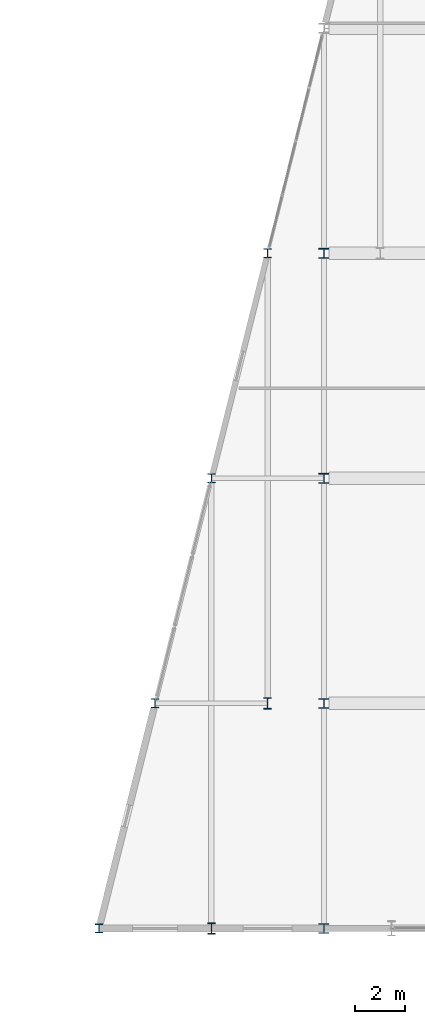
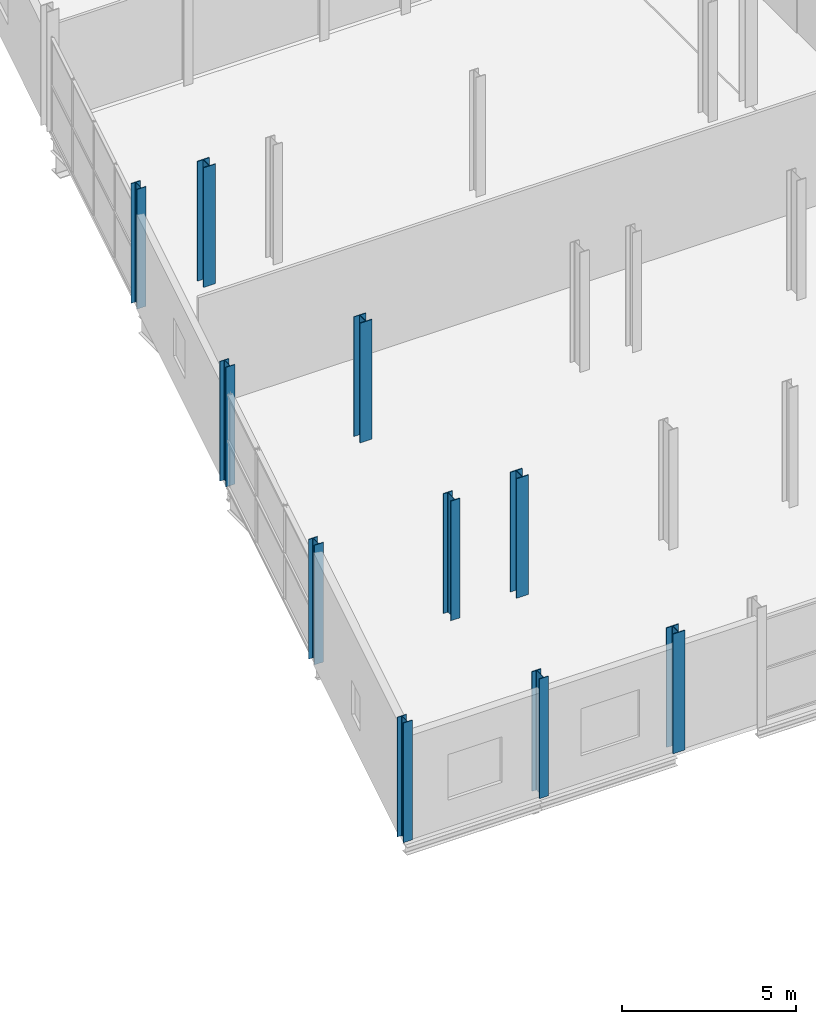
# One storey, part 5 of 135: 10 columns.
"""IFC4 building model written with IfcOpenShell, lengths in metres."""

from ifc_helpers import new_model, si_unit, direction, frame, origin, origin_2d, place, context, subcontext, project, spatial, i_section, extrude, material, material_profile, profile_set, type_object, element, save


model = new_model("IFC4")

# Units and contexts
model_context = context("Model", 3, precision=1e-05, world=origin(), true_north=direction((0.0, 1.0)))
body_context = subcontext(model_context, "Body", "Model", "MODEL_VIEW")
ifc_project = project(units=[si_unit("LENGTHUNIT", "METRE"), si_unit("AREAUNIT", "SQUARE_METRE"), si_unit("VOLUMEUNIT", "CUBIC_METRE"), si_unit("PLANEANGLEUNIT", "RADIAN"), si_unit("MASSUNIT", "GRAM", prefix="KILO")], contexts=[model_context])

# Site, building, storey
site_placement = place(None, origin())
site = spatial("IfcSite", under=ifc_project, at=site_placement, CompositionType="ELEMENT")
building_placement = place(site_placement, origin())
building = spatial("IfcBuilding", under=site, at=building_placement, Name="Deido Ridge Mobility Hub", CompositionType="ELEMENT")
storey_placement = place(building_placement, frame((0.0, 0.0, 4.199951171875)))
storey = spatial("IfcBuildingStorey", under=building, at=storey_placement, Name="L01", CompositionType="ELEMENT", Elevation=4.199951171875)

# Columns
ifc_material = material(Name="Steel S355J2 EN 10025-2", Category="steel")
ifc_material_profile_1 = material_profile(ifc_material, i_section(OverallWidth=0.39892578125, OverallDepth=0.39306640625, WebThickness=0.017578125, FlangeThickness=0.028076171875, FilletRadius=0.014892578125, at=origin_2d()), Name="HD 400x287")
ifc_profile_set_1 = profile_set([ifc_material_profile_1], Name="Steel S355J2 EN 10025-2")
column_type_1 = type_object("IfcColumnType", Name="COL-HD400-287", PredefinedType="COLUMN", material=ifc_profile_set_1)
for number, where, z_axis, x_axis, name in (
    (1, (126.0, 0.0, 0.0), (0.0, 0.0, 1.0), (1.0, 0.0, 0.0), "Structural column C2"),
    (2, (126.0, 9.0, 0.0), (0.0, 0.0, 1.0), (1.0, 0.0, 0.0), "Structural column C2"),
    (3, (126.0, 18.0, 0.0), (0.0, 0.0, 1.0), (1.0, 0.0, 0.0), "Structural column C2"),
    (4, (126.0, 27.0, 0.0), (0.0, 0.0, 1.0), (1.0, 0.0, 0.0), "Structural column C2"),
):
    element("IfcColumn", number, at=place(storey_placement, frame(where, z_axis=z_axis, x_axis=x_axis)), inside=storey, type_object=column_type_1, Name=name, PredefinedType="COLUMN", context=body_context, shape_type="SweptSolid", body=[
        extrude(i_section(OverallWidth=0.39892578125, OverallDepth=0.39306640625, WebThickness=0.017578125, FlangeThickness=0.028076171875, FilletRadius=0.014892578125, at=origin_2d()), origin(), (0.0, 0.0, 1.0), 4.199951171875),
    ])
ifc_material_profile_2 = material_profile(ifc_material, i_section(OverallWidth=0.300048828125, OverallDepth=0.360107421875, WebThickness=0.012451171875, FlangeThickness=0.0224609375, FilletRadius=0.027099609375, at=origin_2d()), Name="HEB 360")
ifc_profile_set_2 = profile_set([ifc_material_profile_2], Name="Steel S355J2 EN 10025-2")
column_type_2 = type_object("IfcColumnType", Name="COL-HEB360", PredefinedType="COLUMN", material=ifc_profile_set_2)
for number, where, z_axis, x_axis, name in (
    (5, (117.0, 0.0, 0.0), (0.0, 0.0, 1.0), (1.0, 0.0, 0.0), "Structural column C8"),
    (6, (119.25, 9.0, 0.0), (0.0, 0.0, 1.0), (1.0, 0.0, 0.0), "Structural column C8"),
    (7, (121.5, 18.0, 0.0), (0.0, 0.0, 1.0), (1.0, 0.0, 0.0), "Structural column C8"),
    (8, (123.75, 27.0, 0.0), (0.0, 0.0, 1.0), (1.0, 0.0, 0.0), "Structural column C8"),
):
    element("IfcColumn", number, at=place(storey_placement, frame(where, z_axis=z_axis, x_axis=x_axis)), inside=storey, type_object=column_type_2, Name=name, PredefinedType="COLUMN", context=body_context, shape_type="SweptSolid", body=[
        extrude(i_section(OverallWidth=0.300048828125, OverallDepth=0.360107421875, WebThickness=0.012451171875, FlangeThickness=0.0224609375, FilletRadius=0.027099609375, at=origin_2d()), origin(), (0.0, 0.0, 1.0), 4.199951171875),
    ])
ifc_material_profile_3 = material_profile(ifc_material, i_section(OverallWidth=0.300048828125, OverallDepth=0.449951171875, WebThickness=0.013916015625, FlangeThickness=0.02587890625, FilletRadius=0.027099609375, at=origin_2d()), Name="HEB 450")
ifc_profile_set_3 = profile_set([ifc_material_profile_3], Name="Steel S355J2 EN 10025-2")
column_type_3 = type_object("IfcColumnType", Name="COL-HEB450", PredefinedType="COLUMN", material=ifc_profile_set_3)
for number, where, z_axis, x_axis, name in (
    (9, (121.5, 0.0, 0.0), (0.0, 0.0, 1.0), (1.0, 0.0, 0.0), "Structural column C6"),
    (10, (123.75, 9.0, 0.0), (0.0, 0.0, 1.0), (1.0, 0.0, 0.0), "Structural column C6"),
):
    element("IfcColumn", number, at=place(storey_placement, frame(where, z_axis=z_axis, x_axis=x_axis)), inside=storey, type_object=column_type_3, Name=name, PredefinedType="COLUMN", context=body_context, shape_type="SweptSolid", body=[
        extrude(i_section(OverallWidth=0.300048828125, OverallDepth=0.449951171875, WebThickness=0.013916015625, FlangeThickness=0.02587890625, FilletRadius=0.027099609375, at=origin_2d()), origin(), (0.0, 0.0, 1.0), 4.199951171875),
    ])

save(model, "model.ifc")
